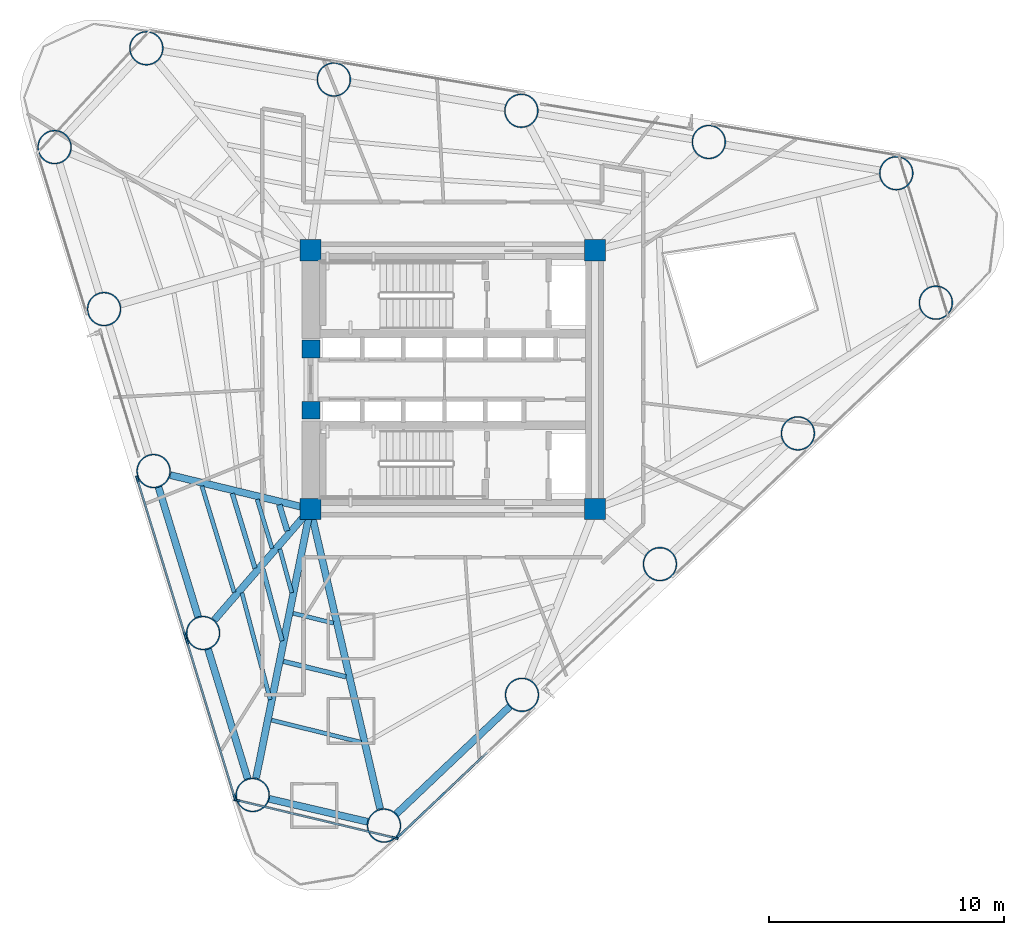
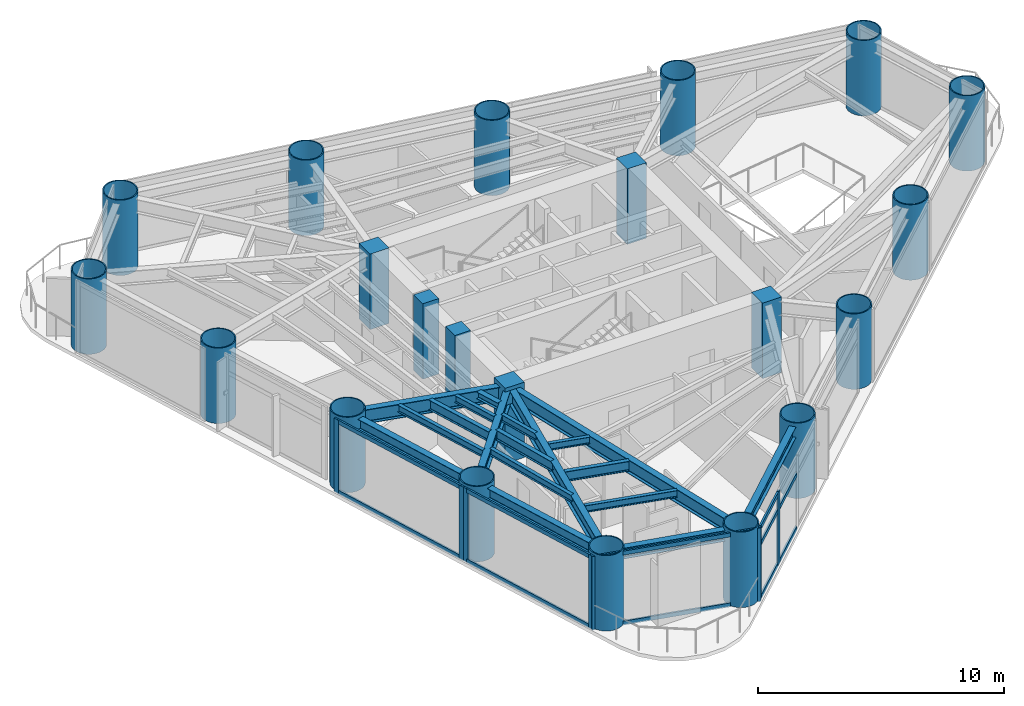
# One storey, part 1 of 10: 21 columns, 19 members, 18 beams, 4 elements without a shape of their own.
"""IFC4 building model written with IfcOpenShell, lengths in metres."""

from ifc_helpers import new_model, si_unit, direction, frame, origin, origin_2d, place, context, subcontext, project, spatial, rectangle, hollow_circle, i_section, extrude, source, transform, mapped, material, layer, layer_set, material_profile, profile_set, type_object, element, aggregate, save


model = new_model("IFC4")

# Units and contexts
model_context = context("Model", 3, precision=1e-05, world=origin(), true_north=direction((0.0, 1.0)))
body_context = subcontext(model_context, "Body", "Model", "MODEL_VIEW")
ifc_project = project(units=[si_unit("LENGTHUNIT", "METRE"), si_unit("AREAUNIT", "SQUARE_METRE"), si_unit("VOLUMEUNIT", "CUBIC_METRE"), si_unit("PLANEANGLEUNIT", "RADIAN"), si_unit("MASSUNIT", "GRAM", prefix="KILO")], contexts=[model_context])

# Site, building, storey
site_placement = place(None, origin())
site = spatial("IfcSite", under=ifc_project, at=site_placement, CompositionType="ELEMENT")
building_placement = place(site_placement, origin())
building = spatial("IfcBuilding", under=site, at=building_placement, Name="Yunling Apex Tower", CompositionType="ELEMENT")
storey_placement = place(building_placement, frame((0.0, 0.0, 108.64990234375)))
storey = spatial("IfcBuildingStorey", under=building, at=storey_placement, Name="L27", CompositionType="ELEMENT", Elevation=108.64990234375)

# Columns
ifc_material_1 = material(Name="Concrete C60", Category="concrete")
ifc_material_profile_1 = material_profile(ifc_material_1, rectangle(XDim=0.89990234375, YDim=0.89990234375, at=origin_2d()))
ifc_profile_set_1 = profile_set([ifc_material_profile_1], Name="Concrete C60")
column_type_1 = type_object("IfcColumnType", Name="PC-SRC-3", PredefinedType="COLUMN", material=ifc_profile_set_1)
shared_shape_1 = source(origin(), body_context, "Body", "SweptSolid", [
    extrude(rectangle(XDim=0.89990234375, YDim=0.89990234375, at=origin_2d()), origin(), (0.0, 0.0, 1.0), 3.75),
])
for number, where, z_axis, x_axis, name in (
    (1, (-6.050048828125, -5.5, 0.0), (0.0, 0.0, 1.0), (1.0, 0.0, 0.0), "L27 Core Spine Column CC-SW"),
    (2, (6.050048828125, -5.5, 0.0), (0.0, 0.0, 1.0), (1.0, 0.0, 0.0), "L27 Core Spine Column CC-SE"),
    (3, (6.050048828125, 5.5, 0.0), (0.0, 0.0, 1.0), (1.0, 0.0, 0.0), "L27 Core Spine Column CC-NE"),
    (4, (-6.050048828125, 5.5, 0.0), (0.0, 0.0, 1.0), (1.0, 0.0, 0.0), "L27 Core Spine Column CC-NW"),
):
    element("IfcColumn", number, at=place(storey_placement, frame(where, z_axis=z_axis, x_axis=x_axis)), inside=storey, type_object=column_type_1, Name=name, PredefinedType="COLUMN", context=body_context, shape_type="MappedRepresentation", body=[
        mapped(shared_shape_1, transform((0.0, 0.0, 0.0), scale=1.0)),
    ])
ifc_material_2 = material(Name="Concrete C50", Category="concrete")
ifc_material_profile_2 = material_profile(ifc_material_2, rectangle(XDim=0.75, YDim=0.75, at=origin_2d()))
ifc_profile_set_2 = profile_set([ifc_material_profile_2], Name="Concrete C50")
column_type_2 = type_object("IfcColumnType", Name="PC-SRC-4", PredefinedType="COLUMN", material=ifc_profile_set_2)
shared_shape_2 = source(origin(), body_context, "Body", "SweptSolid", [
    extrude(rectangle(XDim=0.75, YDim=0.75, at=origin_2d()), origin(), (0.0, 0.0, 1.0), 3.75),
])
for number, where, z_axis, x_axis, name in (
    (5, (-6.02490234375, -1.300048828125, 0.0), (0.0, 0.0, 1.0), (1.0, 0.0, 0.0), "L27 Core West Portal Jamb Column S"),
    (6, (-6.02490234375, 1.300048828125, 0.0), (0.0, 0.0, 1.0), (1.0, 0.0, 0.0), "L27 Core West Portal Jamb Column N"),
):
    element("IfcColumn", number, at=place(storey_placement, frame(where, z_axis=z_axis, x_axis=x_axis)), inside=storey, type_object=column_type_2, Name=name, PredefinedType="COLUMN", context=body_context, shape_type="MappedRepresentation", body=[
        mapped(shared_shape_2, transform((0.0, 0.0, 0.0), scale=1.0)),
    ])
ifc_material_3 = material(Name="Steel Q390GJC", Category="steel")
ifc_material_profile_3 = material_profile(ifc_material_3, hollow_circle(Radius=0.72509765625, WallThickness=0.050048828125, at=origin_2d()))
ifc_profile_set_3 = profile_set([ifc_material_profile_3], Name="Steel Q390GJC")
column_type_3 = type_object("IfcColumnType", Name="MC-CFST-2", PredefinedType="COLUMN", material=ifc_profile_set_3)
shared_shape_3 = source(origin(), body_context, "Body", "SweptSolid", [
    extrude(hollow_circle(Radius=0.72509765625, WallThickness=0.050048828125, at=origin_2d()), origin(), (0.0, 0.0, 1.0), 3.75),
])
for number, where, z_axis, x_axis, name in (
    (7, (-2.92138671875, -18.960205078125, 0.0), (0.0, 0.0, 1.0), (1.0, 0.0, 0.0), "L27 Perimeter CFST Mega-Column P01"),
    (8, (2.943359375, -13.40234375, 0.0), (0.0, 0.0, 1.0), (1.0, 0.0, 0.0), "L27 Perimeter CFST Mega-Column P02"),
    (9, (8.80810546875, -7.8447265625, 0.0), (0.0, 0.0, 1.0), (1.0, 0.0, 0.0), "L27 Perimeter CFST Mega-Column P03"),
    (10, (14.6728515625, -2.287109375, 0.0), (0.0, 0.0, 1.0), (1.0, 0.0, 0.0), "L27 Perimeter CFST Mega-Column P04"),
    (11, (20.53759765625, 3.2705078125, 0.0), (0.0, 0.0, 1.0), (1.0, 0.0, 0.0), "L27 Perimeter CFST Mega-Column P05"),
    (12, (18.855224609375, 8.77294921875, 0.0), (0.0, 0.0, 1.0), (1.0, 0.0, 0.0), "L27 Perimeter CFST Mega-Column P06"),
    (13, (10.88525390625, 10.10107421875, 0.0), (0.0, 0.0, 1.0), (1.0, 0.0, 0.0), "L27 Perimeter CFST Mega-Column P07"),
    (14, (2.915283203125, 11.428955078125, 0.0), (0.0, 0.0, 1.0), (1.0, 0.0, 0.0), "L27 Perimeter CFST Mega-Column P08"),
    (15, (-5.054443359375, 12.757080078125, 0.0), (0.0, 0.0, 1.0), (1.0, 0.0, 0.0), "L27 Perimeter CFST Mega-Column P09"),
    (16, (-13.0244140625, 14.0849609375, 0.0), (0.0, 0.0, 1.0), (1.0, 0.0, 0.0), "L27 Perimeter CFST Mega-Column P10"),
    (17, (-16.927490234375, 9.88330078125, 0.0), (0.0, 0.0, 1.0), (1.0, 0.0, 0.0), "L27 Perimeter CFST Mega-Column P11"),
    (18, (-14.822509765625, 2.99755859375, 0.0), (0.0, 0.0, 1.0), (1.0, 0.0, 0.0), "L27 Perimeter CFST Mega-Column P12"),
    (19, (-12.71728515625, -3.887939453125, 0.0), (0.0, 0.0, 1.0), (1.0, 0.0, 0.0), "L27 Perimeter CFST Mega-Column P13"),
    (20, (-10.612060546875, -10.773681640625, 0.0), (0.0, 0.0, 1.0), (1.0, 0.0, 0.0), "L27 Perimeter CFST Mega-Column P14"),
    (21, (-8.5068359375, -17.6591796875, 0.0), (0.0, 0.0, 1.0), (1.0, 0.0, 0.0), "L27 Perimeter CFST Mega-Column P15"),
):
    element("IfcColumn", number, at=place(storey_placement, frame(where, z_axis=z_axis, x_axis=x_axis)), inside=storey, type_object=column_type_3, Name=name, PredefinedType="COLUMN", context=body_context, shape_type="MappedRepresentation", body=[
        mapped(shared_shape_3, transform((0.0, 0.0, 0.0), scale=1.0)),
    ])

# Beams
ifc_material_4 = material(Name="Steel Q355B", Category="steel")
ifc_material_profile_4 = material_profile(ifc_material_4, i_section(OverallWidth=0.300048828125, OverallDepth=0.5400390625, WebThickness=0.011962890625, FlangeThickness=0.02001953125, FilletRadius=0.02392578125, at=origin_2d()))
ifc_profile_set_4 = profile_set([ifc_material_profile_4], Name="Steel Q355B")
beam_type_1 = type_object("IfcBeamType", Name="BP-SPN-1", PredefinedType="SPANDREL", material=ifc_profile_set_4)
shared_shape_4 = source(origin(), body_context, "Body", "SweptSolid", [
    extrude(i_section(OverallWidth=0.300048828125, OverallDepth=0.5400390625, WebThickness=0.011962890625, FlangeThickness=0.02001953125, FilletRadius=0.02392578125, at=origin_2d()), origin(), (0.0, 0.0, 1.0), 6.6416015625),
])
beam_1_placement = place(storey_placement, frame((-2.3994140625, -18.465576171875, 3.295166015625), z_axis=(0.725837728974, 0.68786596892, 0.0), x_axis=(-0.68786596892, 0.725837728974, 0.0)))
element("IfcBeam", 22, at=beam_1_placement, inside=storey, type_object=beam_type_1, Name="L27 Perimeter Spandrel Beam 1", PredefinedType="SPANDREL", context=body_context, shape_type="MappedRepresentation", body=[
    mapped(shared_shape_4, transform((0.0, 0.0, 0.0), scale=1.0)),
])
shared_shape_5 = source(origin(), body_context, "Body", "SweptSolid", [
    extrude(i_section(OverallWidth=0.300048828125, OverallDepth=0.5400390625, WebThickness=0.011962890625, FlangeThickness=0.02001953125, FilletRadius=0.02392578125, at=origin_2d()), origin(), (0.0, 0.0, 1.0), 5.76220703125),
])
for number, where, z_axis, x_axis, name in (
    (23, (-12.507080078125, -4.57568359375, 3.295166015625), (0.292385374143, -0.956300576695, 0.0), (0.956300576695, 0.292385374143, 0.0), "L27 Perimeter Spandrel Beam 13"),
    (24, (-10.40185546875, -11.461181640625, 3.295166015625), (0.292385374143, -0.956300576695, 0.0), (0.956300576695, 0.292385374143, 0.0), "L27 Perimeter Spandrel Beam 14"),
):
    element("IfcBeam", number, at=place(storey_placement, frame(where, z_axis=z_axis, x_axis=x_axis)), inside=storey, type_object=beam_type_1, Name=name, PredefinedType="SPANDREL", context=body_context, shape_type="MappedRepresentation", body=[
        mapped(shared_shape_5, transform((0.0, 0.0, 0.0), scale=1.0)),
    ])
shared_shape_6 = source(origin(), body_context, "Body", "SweptSolid", [
    extrude(i_section(OverallWidth=0.300048828125, OverallDepth=0.5400390625, WebThickness=0.011962890625, FlangeThickness=0.02001953125, FilletRadius=0.02392578125, at=origin_2d()), origin(), (0.0, 0.0, 1.0), 4.297119140625),
])
beam_2_placement = place(storey_placement, frame((-7.806640625, -17.822509765625, 3.295166015625), z_axis=(0.973939184954, -0.226809312002, 0.0), x_axis=(0.226809312002, 0.973939184954, 0.0)))
element("IfcBeam", 25, at=beam_2_placement, inside=storey, type_object=beam_type_1, Name="L27 Perimeter Spandrel Beam 15", PredefinedType="SPANDREL", context=body_context, shape_type="MappedRepresentation", body=[
    mapped(shared_shape_6, transform((0.0, 0.0, 0.0), scale=1.0)),
])
ifc_material_profile_5 = material_profile(ifc_material_4, i_section(OverallWidth=0.300048828125, OverallDepth=0.699951171875, WebThickness=0.012939453125, FlangeThickness=0.02392578125, FilletRadius=0.02587890625, at=origin_2d()))
ifc_profile_set_5 = profile_set([ifc_material_profile_5], Name="Steel Q355B")
beam_type_2 = type_object("IfcBeamType", Name="BG-PRI-3", PredefinedType="USERDEFINED", material=ifc_profile_set_5)
shared_shape_7 = source(origin(), body_context, "Body", "SweptSolid", [
    extrude(i_section(OverallWidth=0.300048828125, OverallDepth=0.699951171875, WebThickness=0.012939453125, FlangeThickness=0.02392578125, FilletRadius=0.02587890625, at=origin_2d()), origin(), (0.0, 0.0, 1.0), 13.005859375),
])
beam_3_placement = place(storey_placement, frame((-3.08740234375, -18.24609375, 3.215087890625), z_axis=(-0.226402915749, 0.974033736449, 0.0), x_axis=(-0.974033736449, -0.226402915749, 0.0)))
element("IfcBeam", 26, at=beam_3_placement, inside=storey, type_object=beam_type_2, Name="L27 Radial Primary Girder R01", ObjectType="GIRDER", PredefinedType="USERDEFINED", context=body_context, shape_type="MappedRepresentation", body=[
    mapped(shared_shape_7, transform((0.0, 0.0, 0.0), scale=1.0)),
])
shared_shape_8 = source(origin(), body_context, "Body", "SweptSolid", [
    extrude(i_section(OverallWidth=0.300048828125, OverallDepth=0.699951171875, WebThickness=0.012939453125, FlangeThickness=0.02392578125, FilletRadius=0.02587890625, at=origin_2d()), origin(), (0.0, 0.0, 1.0), 6.046630859375),
])
beam_4_placement = place(storey_placement, frame((-12.0048828125, -4.060302734375, 3.215087890625), z_axis=(0.971996717199, -0.234994429199, 0.0), x_axis=(0.234994429199, 0.971996717199, 0.0)))
element("IfcBeam", 27, at=beam_4_placement, inside=storey, type_object=beam_type_2, Name="L27 Radial Primary Girder R13", ObjectType="GIRDER", PredefinedType="USERDEFINED", context=body_context, shape_type="MappedRepresentation", body=[
    mapped(shared_shape_8, transform((0.0, 0.0, 0.0), scale=1.0)),
])
shared_shape_9 = source(origin(), body_context, "Body", "SweptSolid", [
    extrude(i_section(OverallWidth=0.300048828125, OverallDepth=0.699951171875, WebThickness=0.012939453125, FlangeThickness=0.02392578125, FilletRadius=0.02587890625, at=origin_2d()), origin(), (0.0, 0.0, 1.0), 6.16015625),
])
beam_5_placement = place(storey_placement, frame((-10.132568359375, -10.21923828125, 3.215087890625), z_axis=(0.654257326822, 0.756272008142, 0.0), x_axis=(-0.756272008142, 0.654257326822, 0.0)))
element("IfcBeam", 28, at=beam_5_placement, inside=storey, type_object=beam_type_2, Name="L27 Radial Primary Girder R14", ObjectType="GIRDER", PredefinedType="USERDEFINED", context=body_context, shape_type="MappedRepresentation", body=[
    mapped(shared_shape_9, transform((0.0, 0.0, 0.0), scale=1.0)),
])
shared_shape_10 = source(origin(), body_context, "Body", "SweptSolid", [
    extrude(i_section(OverallWidth=0.300048828125, OverallDepth=0.699951171875, WebThickness=0.012939453125, FlangeThickness=0.02392578125, FilletRadius=0.02587890625, at=origin_2d()), origin(), (0.0, 0.0, 1.0), 11.59228515625),
])
beam_6_placement = place(storey_placement, frame((-8.36181640625, -16.94091796875, 3.215087890625), z_axis=(0.198055775124, 0.980190751813, 0.0), x_axis=(-0.980190751813, 0.198055775124, 0.0)))
element("IfcBeam", 29, at=beam_6_placement, inside=storey, type_object=beam_type_2, Name="L27 Radial Primary Girder R15", ObjectType="GIRDER", PredefinedType="USERDEFINED", context=body_context, shape_type="MappedRepresentation", body=[
    mapped(shared_shape_10, transform((0.0, 0.0, 0.0), scale=1.0)),
])
ifc_material_profile_6 = material_profile(ifc_material_4, i_section(OverallWidth=0.199951171875, OverallDepth=0.5, WebThickness=0.010009765625, FlangeThickness=0.01611328125, FilletRadius=0.02001953125, at=origin_2d()))
ifc_profile_set_6 = profile_set([ifc_material_profile_6], Name="Steel Q355B")
beam_type_3 = type_object("IfcBeamType", Name="BS-SEC-2", PredefinedType="BEAM", material=ifc_profile_set_6)
shared_shape_11 = source(origin(), body_context, "Body", "SweptSolid", [
    extrude(i_section(OverallWidth=0.199951171875, OverallDepth=0.5, WebThickness=0.010009765625, FlangeThickness=0.01611328125, FilletRadius=0.02001953125, at=origin_2d()), origin(), (0.0, 0.0, 1.0), 3.321533203125),
])
beam_7_placement = place(storey_placement, frame((-9.372314453125, -4.838623046875, 3.315185546875), z_axis=(0.291000743066, -0.956722826912, 0.0), x_axis=(0.956722826912, 0.291000743066, 0.0)))
element("IfcBeam", 30, at=beam_7_placement, inside=storey, type_object=beam_type_3, Name="L27 Composite Floor Beam BS-13", PredefinedType="BEAM", context=body_context, shape_type="MappedRepresentation", body=[
    mapped(shared_shape_11, transform((0.0, 0.0, 0.0), scale=1.0)),
])
ifc_material_profile_7 = material_profile(ifc_material_4, i_section(OverallWidth=0.175048828125, OverallDepth=0.35009765625, WebThickness=0.007080078125, FlangeThickness=0.010986328125, FilletRadius=0.013916015625, at=origin_2d()))
ifc_profile_set_7 = profile_set([ifc_material_profile_7], Name="Steel Q355B")
beam_type_4 = type_object("IfcBeamType", Name="BJ-JST-1", PredefinedType="JOIST", material=ifc_profile_set_7)
shared_shape_12 = source(origin(), body_context, "Body", "SweptSolid", [
    extrude(i_section(OverallWidth=0.175048828125, OverallDepth=0.35009765625, WebThickness=0.007080078125, FlangeThickness=0.010986328125, FilletRadius=0.013916015625, at=origin_2d()), origin(), (0.0, 0.0, 1.0), 4.719482421875),
])
beam_8_placement = place(storey_placement, frame((-10.665283203125, -4.52587890625, 3.39013671875), z_axis=(0.290881649014, -0.95675904295, 0.0), x_axis=(0.95675904295, 0.290881649014, 0.0)))
element("IfcBeam", 31, at=beam_8_placement, inside=storey, type_object=beam_type_4, Name="L27 Composite Floor Joist BJ1-13", PredefinedType="JOIST", context=body_context, shape_type="MappedRepresentation", body=[
    mapped(shared_shape_12, transform((0.0, 0.0, 0.0), scale=1.0)),
])
shared_shape_13 = source(origin(), body_context, "Body", "SweptSolid", [
    extrude(i_section(OverallWidth=0.175048828125, OverallDepth=0.35009765625, WebThickness=0.007080078125, FlangeThickness=0.010986328125, FilletRadius=0.013916015625, at=origin_2d()), origin(), (0.0, 0.0, 1.0), 2.177734375),
])
beam_9_placement = place(storey_placement, frame((-8.314453125, -5.09423828125, 3.39013671875), z_axis=(0.291130389824, -0.956683383425, 0.0), x_axis=(0.956683383425, 0.291130389824, 0.0)))
element("IfcBeam", 32, at=beam_9_placement, inside=storey, type_object=beam_type_4, Name="L27 Composite Floor Joist BJ3-13", PredefinedType="JOIST", context=body_context, shape_type="MappedRepresentation", body=[
    mapped(shared_shape_13, transform((0.0, 0.0, 0.0), scale=1.0)),
])
ifc_material_profile_8 = material_profile(ifc_material_4, i_section(OverallWidth=0.25, OverallDepth=0.340087890625, WebThickness=0.009033203125, FlangeThickness=0.013916015625, FilletRadius=0.01806640625, at=origin_2d()))
ifc_profile_set_8 = profile_set([ifc_material_profile_8], Name="Steel Q355B")
beam_type_5 = type_object("IfcBeamType", Name="BJ-JST-2", PredefinedType="JOIST", material=ifc_profile_set_8)
shared_shape_14 = source(origin(), body_context, "Body", "SweptSolid", [
    extrude(i_section(OverallWidth=0.25, OverallDepth=0.340087890625, WebThickness=0.009033203125, FlangeThickness=0.013916015625, FilletRadius=0.01806640625, at=origin_2d()), origin(), (0.0, 0.0, 1.0), 1.160888671875),
])
beam_10_placement = place(storey_placement, frame((-7.3740234375, -5.32177734375, 3.39501953125), z_axis=(0.291454472577, -0.956584701119, 0.0), x_axis=(0.956584701119, 0.291454472577, 0.0)))
element("IfcBeam", 33, at=beam_10_placement, inside=storey, type_object=beam_type_5, Name="L27 Composite Floor Joist BJ2-13", PredefinedType="JOIST", context=body_context, shape_type="MappedRepresentation", body=[
    mapped(shared_shape_14, transform((0.0, 0.0, 0.0), scale=1.0)),
])
shared_shape_15 = source(origin(), body_context, "Body", "SweptSolid", [
    extrude(i_section(OverallWidth=0.199951171875, OverallDepth=0.5, WebThickness=0.010009765625, FlangeThickness=0.01611328125, FilletRadius=0.02001953125, at=origin_2d()), origin(), (0.0, 0.0, 1.0), 3.168701171875),
])
beam_11_placement = place(storey_placement, frame((-8.075927734375, -8.04443359375, 3.315185546875), z_axis=(0.259033901524, -0.965868230071, 0.0), x_axis=(0.965868230071, 0.259033901524, 0.0)))
element("IfcBeam", 34, at=beam_11_placement, inside=storey, type_object=beam_type_3, Name="L27 Composite Floor Beam BS-14", PredefinedType="BEAM", context=body_context, shape_type="MappedRepresentation", body=[
    mapped(shared_shape_15, transform((0.0, 0.0, 0.0), scale=1.0)),
])
shared_shape_16 = source(origin(), body_context, "Body", "SweptSolid", [
    extrude(i_section(OverallWidth=0.175048828125, OverallDepth=0.35009765625, WebThickness=0.007080078125, FlangeThickness=0.010986328125, FilletRadius=0.013916015625, at=origin_2d()), origin(), (0.0, 0.0, 1.0), 4.69189453125),
])
beam_12_placement = place(storey_placement, frame((-8.962890625, -9.069580078125, 3.39013671875), z_axis=(0.256370213066, -0.966578664079, 0.0), x_axis=(0.966578664079, 0.256370213066, 0.0)))
element("IfcBeam", 35, at=beam_12_placement, inside=storey, type_object=beam_type_4, Name="L27 Composite Floor Joist BJ1-14", PredefinedType="JOIST", context=body_context, shape_type="MappedRepresentation", body=[
    mapped(shared_shape_16, transform((0.0, 0.0, 0.0), scale=1.0)),
])
shared_shape_17 = source(origin(), body_context, "Body", "SweptSolid", [
    extrude(i_section(OverallWidth=0.175048828125, OverallDepth=0.35009765625, WebThickness=0.007080078125, FlangeThickness=0.010986328125, FilletRadius=0.013916015625, at=origin_2d()), origin(), (0.0, 0.0, 1.0), 1.92236328125),
])
beam_13_placement = place(storey_placement, frame((-7.349853515625, -7.205810546875, 3.39013671875), z_axis=(0.263783616245, -0.964581880299, 0.0), x_axis=(0.964581880299, 0.263783616245, 0.0)))
element("IfcBeam", 36, at=beam_13_placement, inside=storey, type_object=beam_type_4, Name="L27 Composite Floor Joist BJ3-14", PredefinedType="JOIST", context=body_context, shape_type="MappedRepresentation", body=[
    mapped(shared_shape_17, transform((0.0, 0.0, 0.0), scale=1.0)),
])
shared_shape_18 = source(origin(), body_context, "Body", "SweptSolid", [
    extrude(i_section(OverallWidth=0.199951171875, OverallDepth=0.5, WebThickness=0.010009765625, FlangeThickness=0.01611328125, FilletRadius=0.02001953125, at=origin_2d()), origin(), (0.0, 0.0, 1.0), 2.737060546875),
])
beam_14_placement = place(storey_placement, frame((-7.196044921875, -11.9794921875, 3.315185546875), z_axis=(0.971007234619, -0.239050100016, 0.0), x_axis=(0.239050100016, 0.971007234619, 0.0)))
element("IfcBeam", 37, at=beam_14_placement, inside=storey, type_object=beam_type_3, Name="L27 Composite Floor Beam BS-15", PredefinedType="BEAM", context=body_context, shape_type="MappedRepresentation", body=[
    mapped(shared_shape_18, transform((0.0, 0.0, 0.0), scale=1.0)),
])
shared_shape_19 = source(origin(), body_context, "Body", "SweptSolid", [
    extrude(i_section(OverallWidth=0.175048828125, OverallDepth=0.35009765625, WebThickness=0.007080078125, FlangeThickness=0.010986328125, FilletRadius=0.013916015625, at=origin_2d()), origin(), (0.0, 0.0, 1.0), 3.925537109375),
])
beam_15_placement = place(storey_placement, frame((-7.701416015625, -14.4794921875, 3.39013671875), z_axis=(0.970833614746, -0.239754233494, 0.0), x_axis=(0.239754233494, 0.970833614746, 0.0)))
element("IfcBeam", 38, at=beam_15_placement, inside=storey, type_object=beam_type_4, Name="L27 Composite Floor Joist BJ1-15", PredefinedType="JOIST", context=body_context, shape_type="MappedRepresentation", body=[
    mapped(shared_shape_19, transform((0.0, 0.0, 0.0), scale=1.0)),
])
shared_shape_20 = source(origin(), body_context, "Body", "SweptSolid", [
    extrude(i_section(OverallWidth=0.175048828125, OverallDepth=0.35009765625, WebThickness=0.007080078125, FlangeThickness=0.010986328125, FilletRadius=0.013916015625, at=origin_2d()), origin(), (0.0, 0.0, 1.0), 1.764892578125),
])
beam_16_placement = place(storey_placement, frame((-6.78271484375, -9.93408203125, 3.39013671875), z_axis=(0.971318830932, -0.237780841694, 0.0), x_axis=(0.237780841694, 0.971318830932, 0.0)))
element("IfcBeam", 39, at=beam_16_placement, inside=storey, type_object=beam_type_4, Name="L27 Composite Floor Joist BJ3-15", PredefinedType="JOIST", context=body_context, shape_type="MappedRepresentation", body=[
    mapped(shared_shape_20, transform((0.0, 0.0, 0.0), scale=1.0)),
])

# Curtain wall, members
ifc_material_5 = material(Name="Bronze anodised aluminium", Category="aluminium")
ifc_layer = layer(ifc_material_5, 0.260009765625)
ifc_layer_set = layer_set([ifc_layer], Name="Bronze anodised aluminium")
curtain_wall_type = type_object("IfcCurtainWallType", Name="CW-SYS-2", PredefinedType="NOTDEFINED", material=ifc_layer_set)
curtain_wall_1_placement = place(storey_placement, origin())
curtain_wall_1 = element("IfcCurtainWall", 40, at=curtain_wall_1_placement, inside=storey, type_object=curtain_wall_type, Name="CW-L27-F1-B1", PredefinedType="NOTDEFINED")
ifc_material_profile_9 = material_profile(ifc_material_5, rectangle(XDim=0.0849609375, YDim=0.260009765625, at=origin_2d()))
ifc_profile_set_9 = profile_set([ifc_material_profile_9], Name="Bronze anodised aluminium")
member_type_1 = type_object("IfcMemberType", Name="CW-MUL-2", PredefinedType="MULLION", material=ifc_profile_set_9)
shared_shape_21 = source(origin(), body_context, "Body", "SweptSolid", [
    extrude(rectangle(XDim=0.0849609375, YDim=0.260009765625, at=origin_2d()), origin(), (0.0, 0.0, 1.0), 3.664794921875),
])
member_1_placement = place(storey_placement, frame((-2.3095703125, -19.427490234375, -0.0498046875), z_axis=(0.0, 0.0, 1.0), x_axis=(-0.687861264918, 0.72584218686, 0.0)))
member_1 = element("IfcMember", 41, at=member_1_placement, type_object=member_type_1, Name="CW-SYS-2 mullion 1", PredefinedType="MULLION", context=body_context, shape_type="MappedRepresentation", body=[
    mapped(shared_shape_21, transform((0.0, 0.0, 0.0), scale=1.0)),
])
member_2_placement = place(storey_placement, frame((-0.42431640625, -17.640869140625, -0.0498046875), z_axis=(0.0, 0.0, 1.0), x_axis=(-0.687861264918, 0.72584218686, 0.0)))
member_2 = element("IfcMember", 42, at=member_2_placement, type_object=member_type_1, Name="CW-SYS-2 mullion 2", PredefinedType="MULLION", context=body_context, shape_type="MappedRepresentation", body=[
    mapped(shared_shape_21, transform((0.0, 0.0, 0.0), scale=1.0)),
])

curtain_wall_2_placement = place(storey_placement, origin())
curtain_wall_2 = element("IfcCurtainWall", 43, at=curtain_wall_2_placement, inside=storey, type_object=curtain_wall_type, Name="CW-L27-F3-B3", PredefinedType="NOTDEFINED")
member_3_placement = place(storey_placement, frame((-13.408203125, -4.227294921875, -0.0498046875), z_axis=(0.0, 0.0, 1.0), x_axis=(0.956304476342, 0.292372619321, 0.0)))
member_3 = element("IfcMember", 44, at=member_3_placement, type_object=member_type_1, Name="CW-SYS-2 mullion 1", PredefinedType="MULLION", context=body_context, shape_type="MappedRepresentation", body=[
    mapped(shared_shape_21, transform((0.0, 0.0, 0.0), scale=1.0)),
])
member_4_placement = place(storey_placement, frame((-11.374755859375, -10.878662109375, -0.0498046875), z_axis=(0.0, 0.0, 1.0), x_axis=(0.956304476342, 0.292372619321, 0.0)))
member_4 = element("IfcMember", 45, at=member_4_placement, type_object=member_type_1, Name="CW-SYS-2 mullion 2", PredefinedType="MULLION", context=body_context, shape_type="MappedRepresentation", body=[
    mapped(shared_shape_21, transform((0.0, 0.0, 0.0), scale=1.0)),
])

curtain_wall_3_placement = place(storey_placement, origin())
curtain_wall_3 = element("IfcCurtainWall", 46, at=curtain_wall_3_placement, inside=storey, type_object=curtain_wall_type, Name="CW-L27-F3-B4", PredefinedType="NOTDEFINED")
member_5_placement = place(storey_placement, frame((-11.302978515625, -11.113037109375, -0.0498046875), z_axis=(0.0, 0.0, 1.0), x_axis=(0.956304476342, 0.292372619321, 0.0)))
member_5 = element("IfcMember", 47, at=member_5_placement, type_object=member_type_1, Name="CW-SYS-2 mullion 1", PredefinedType="MULLION", context=body_context, shape_type="MappedRepresentation", body=[
    mapped(shared_shape_21, transform((0.0, 0.0, 0.0), scale=1.0)),
])
member_6_placement = place(storey_placement, frame((-9.26953125, -17.764404296875, -0.0498046875), z_axis=(0.0, 0.0, 1.0), x_axis=(0.956304476342, 0.292372619321, 0.0)))
member_6 = element("IfcMember", 48, at=member_6_placement, type_object=member_type_1, Name="CW-SYS-2 mullion 2", PredefinedType="MULLION", context=body_context, shape_type="MappedRepresentation", body=[
    mapped(shared_shape_21, transform((0.0, 0.0, 0.0), scale=1.0)),
])

curtain_wall_4_placement = place(storey_placement, origin())
curtain_wall_4 = element("IfcCurtainWall", 49, at=curtain_wall_4_placement, inside=storey, type_object=curtain_wall_type, Name="CW-L27-CRN3", PredefinedType="NOTDEFINED")
member_7_placement = place(storey_placement, frame((-9.17333984375, -17.885498046875, -0.0498046875), z_axis=(0.0, 0.0, 1.0), x_axis=(0.23189504865, 0.972740811528, 0.0)))
member_7 = element("IfcMember", 50, at=member_7_placement, type_object=member_type_1, Name="CW-SYS-2 mullion 1", PredefinedType="MULLION", context=body_context, shape_type="MappedRepresentation", body=[
    mapped(shared_shape_21, transform((0.0, 0.0, 0.0), scale=1.0)),
])
member_8_placement = place(storey_placement, frame((-2.453857421875, -19.487548828125, -0.0498046875), z_axis=(0.0, 0.0, 1.0), x_axis=(0.23189504865, 0.972740811528, 0.0)))
member_8 = element("IfcMember", 51, at=member_8_placement, type_object=member_type_1, Name="CW-SYS-2 mullion 2", PredefinedType="MULLION", context=body_context, shape_type="MappedRepresentation", body=[
    mapped(shared_shape_21, transform((0.0, 0.0, 0.0), scale=1.0)),
])

# Member
ifc_material_profile_10 = material_profile(ifc_material_5, rectangle(XDim=0.0849609375, YDim=0.199951171875, at=origin_2d()))
ifc_profile_set_10 = profile_set([ifc_material_profile_10], Name="Bronze anodised aluminium")
member_type_2 = type_object("IfcMemberType", Name="CW-TRN-2", PredefinedType="USERDEFINED", material=ifc_profile_set_10)
shared_shape_22 = source(origin(), body_context, "Body", "SweptSolid", [
    extrude(rectangle(XDim=0.0849609375, YDim=0.199951171875, at=origin_2d()), origin(), (0.0, 0.0, 1.0), 2.52099609375),
])
member_9_placement = place(storey_placement, frame((-2.281982421875, -19.4013671875, 0.04248046875), z_axis=(0.725833069148, 0.687870885945, 0.0), x_axis=(-0.687870885945, 0.725833069148, 0.0)))
member_9 = element("IfcMember", 52, at=member_9_placement, type_object=member_type_2, Name="CW-SYS-2 transom 1.1", ObjectType="TRANSOM", PredefinedType="USERDEFINED", context=body_context, shape_type="MappedRepresentation", body=[
    mapped(shared_shape_22, transform((0.0, 0.0, 0.0), scale=1.0)),
])

member_10_placement = place(storey_placement, frame((-2.281982421875, -19.4013671875, 2.715087890625), z_axis=(0.725833069148, 0.687870885945, 0.0), x_axis=(-0.687870885945, 0.725833069148, 0.0)))
member_10 = element("IfcMember", 53, at=member_10_placement, type_object=member_type_2, Name="CW-SYS-2 transom 1.2", ObjectType="TRANSOM", PredefinedType="USERDEFINED", context=body_context, shape_type="MappedRepresentation", body=[
    mapped(shared_shape_22, transform((0.0, 0.0, 0.0), scale=1.0)),
])

member_11_placement = place(storey_placement, frame((-2.281982421875, -19.4013671875, 3.522705078125), z_axis=(0.725833069148, 0.687870885945, 0.0), x_axis=(-0.687870885945, 0.725833069148, 0.0)))
member_11 = element("IfcMember", 54, at=member_11_placement, type_object=member_type_2, Name="CW-SYS-2 transom 1.3", ObjectType="TRANSOM", PredefinedType="USERDEFINED", context=body_context, shape_type="MappedRepresentation", body=[
    mapped(shared_shape_22, transform((0.0, 0.0, 0.0), scale=1.0)),
])

shared_shape_23 = source(origin(), body_context, "Body", "SweptSolid", [
    extrude(rectangle(XDim=0.0849609375, YDim=0.199951171875, at=origin_2d()), origin(), (0.0, 0.0, 1.0), 2.563232421875),
])
member_12_placement = place(storey_placement, frame((-0.396484375, -17.614501953125, 0.04248046875), z_axis=(0.725852566003, 0.687850312515, 0.0), x_axis=(-0.687850312515, 0.725852566003, 0.0)))
member_12 = element("IfcMember", 55, at=member_12_placement, type_object=member_type_2, Name="CW-SYS-2 transom 2.1", ObjectType="TRANSOM", PredefinedType="USERDEFINED", context=body_context, shape_type="MappedRepresentation", body=[
    mapped(shared_shape_23, transform((0.0, 0.0, 0.0), scale=1.0)),
])

member_13_placement = place(storey_placement, frame((-0.396484375, -17.614501953125, 2.715087890625), z_axis=(0.725852566003, 0.687850312515, 0.0), x_axis=(-0.687850312515, 0.725852566003, 0.0)))
member_13 = element("IfcMember", 56, at=member_13_placement, type_object=member_type_2, Name="CW-SYS-2 transom 2.2", ObjectType="TRANSOM", PredefinedType="USERDEFINED", context=body_context, shape_type="MappedRepresentation", body=[
    mapped(shared_shape_23, transform((0.0, 0.0, 0.0), scale=1.0)),
])

aggregate(curtain_wall_1, [member_1, member_2, member_9, member_10, member_11, member_12, member_13])

shared_shape_24 = source(origin(), body_context, "Body", "SweptSolid", [
    extrude(rectangle(XDim=0.0849609375, YDim=0.199951171875, at=origin_2d()), origin(), (0.0, 0.0, 1.0), 6.831298828125),
])
member_14_placement = place(storey_placement, frame((-9.135986328125, -17.89453125, 0.04248046875), z_axis=(0.972745593735, -0.231874987587, 0.0), x_axis=(0.231874987587, 0.972745593735, 0.0)))
member_14 = element("IfcMember", 57, at=member_14_placement, type_object=member_type_2, Name="CW-SYS-2 transom 1.1", ObjectType="TRANSOM", PredefinedType="USERDEFINED", context=body_context, shape_type="MappedRepresentation", body=[
    mapped(shared_shape_24, transform((0.0, 0.0, 0.0), scale=1.0)),
])

member_15_placement = place(storey_placement, frame((-9.135986328125, -17.89453125, 3.522705078125), z_axis=(0.972745593735, -0.231874987587, 0.0), x_axis=(0.231874987587, 0.972745593735, 0.0)))
member_15 = element("IfcMember", 58, at=member_15_placement, type_object=member_type_2, Name="CW-SYS-2 transom 1.2", ObjectType="TRANSOM", PredefinedType="USERDEFINED", context=body_context, shape_type="MappedRepresentation", body=[
    mapped(shared_shape_24, transform((0.0, 0.0, 0.0), scale=1.0)),
])

aggregate(curtain_wall_4, [member_7, member_8, member_14, member_15])

shared_shape_25 = source(origin(), body_context, "Body", "SweptSolid", [
    extrude(rectangle(XDim=0.0849609375, YDim=0.199951171875, at=origin_2d()), origin(), (0.0, 0.0, 1.0), 6.878662109375),
])
member_16_placement = place(storey_placement, frame((-11.2919921875, -11.149658203125, 0.04248046875), z_axis=(0.29238444517, -0.956300860725, 0.0), x_axis=(0.956300860725, 0.29238444517, 0.0)))
member_16 = element("IfcMember", 59, at=member_16_placement, type_object=member_type_2, Name="CW-SYS-2 transom 1.1", ObjectType="TRANSOM", PredefinedType="USERDEFINED", context=body_context, shape_type="MappedRepresentation", body=[
    mapped(shared_shape_25, transform((0.0, 0.0, 0.0), scale=1.0)),
])

member_17_placement = place(storey_placement, frame((-11.2919921875, -11.149658203125, 3.522705078125), z_axis=(0.29238444517, -0.956300860725, 0.0), x_axis=(0.956300860725, 0.29238444517, 0.0)))
member_17 = element("IfcMember", 60, at=member_17_placement, type_object=member_type_2, Name="CW-SYS-2 transom 1.2", ObjectType="TRANSOM", PredefinedType="USERDEFINED", context=body_context, shape_type="MappedRepresentation", body=[
    mapped(shared_shape_25, transform((0.0, 0.0, 0.0), scale=1.0)),
])

aggregate(curtain_wall_3, [member_5, member_6, member_16, member_17])

shared_shape_26 = source(origin(), body_context, "Body", "SweptSolid", [
    extrude(rectangle(XDim=0.0849609375, YDim=0.199951171875, at=origin_2d()), origin(), (0.0, 0.0, 1.0), 6.87890625),
])
member_18_placement = place(storey_placement, frame((-13.39697265625, -4.263916015625, 0.04248046875), z_axis=(0.29234206402, -0.956313817533, 0.0), x_axis=(0.956313817533, 0.29234206402, 0.0)))
member_18 = element("IfcMember", 61, at=member_18_placement, type_object=member_type_2, Name="CW-SYS-2 transom 1.1", ObjectType="TRANSOM", PredefinedType="USERDEFINED", context=body_context, shape_type="MappedRepresentation", body=[
    mapped(shared_shape_26, transform((0.0, 0.0, 0.0), scale=1.0)),
])

member_19_placement = place(storey_placement, frame((-13.39697265625, -4.263916015625, 3.522705078125), z_axis=(0.29234206402, -0.956313817533, 0.0), x_axis=(0.956313817533, 0.29234206402, 0.0)))
member_19 = element("IfcMember", 62, at=member_19_placement, type_object=member_type_2, Name="CW-SYS-2 transom 1.2", ObjectType="TRANSOM", PredefinedType="USERDEFINED", context=body_context, shape_type="MappedRepresentation", body=[
    mapped(shared_shape_26, transform((0.0, 0.0, 0.0), scale=1.0)),
])

aggregate(curtain_wall_2, [member_3, member_4, member_18, member_19])

save(model, "model.ifc")
